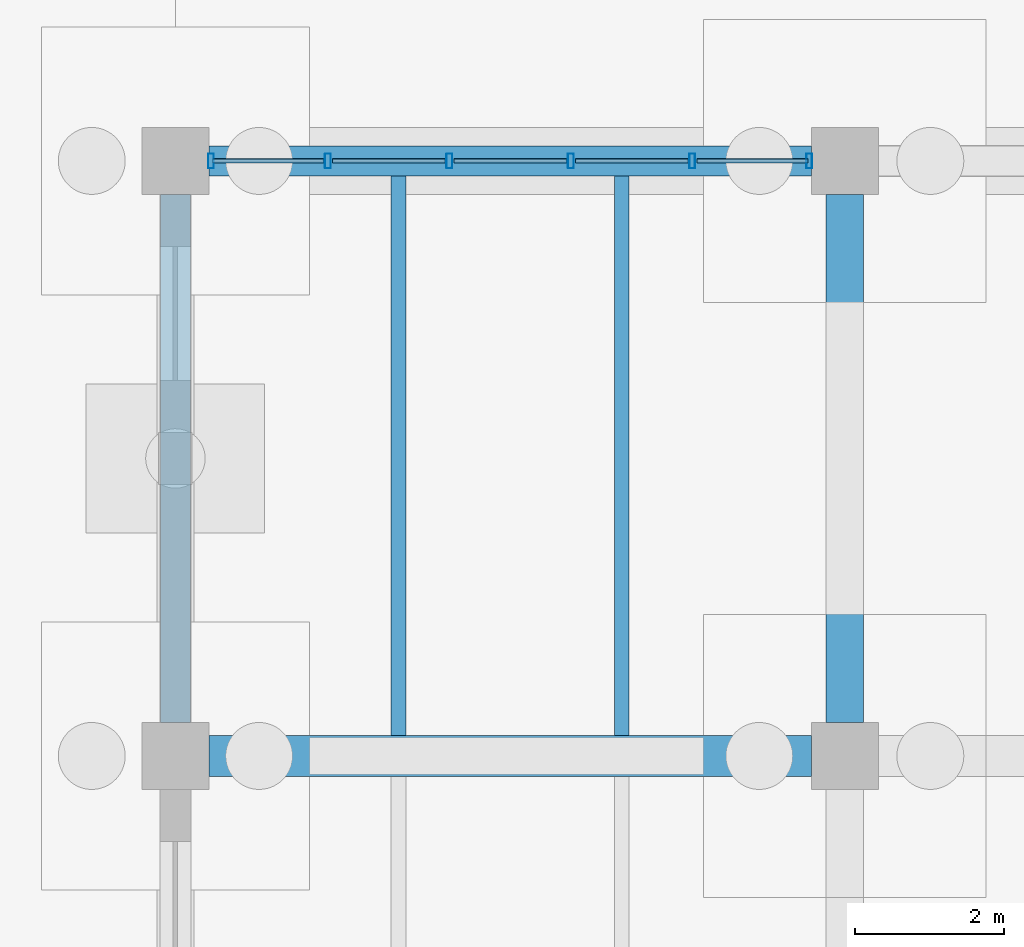
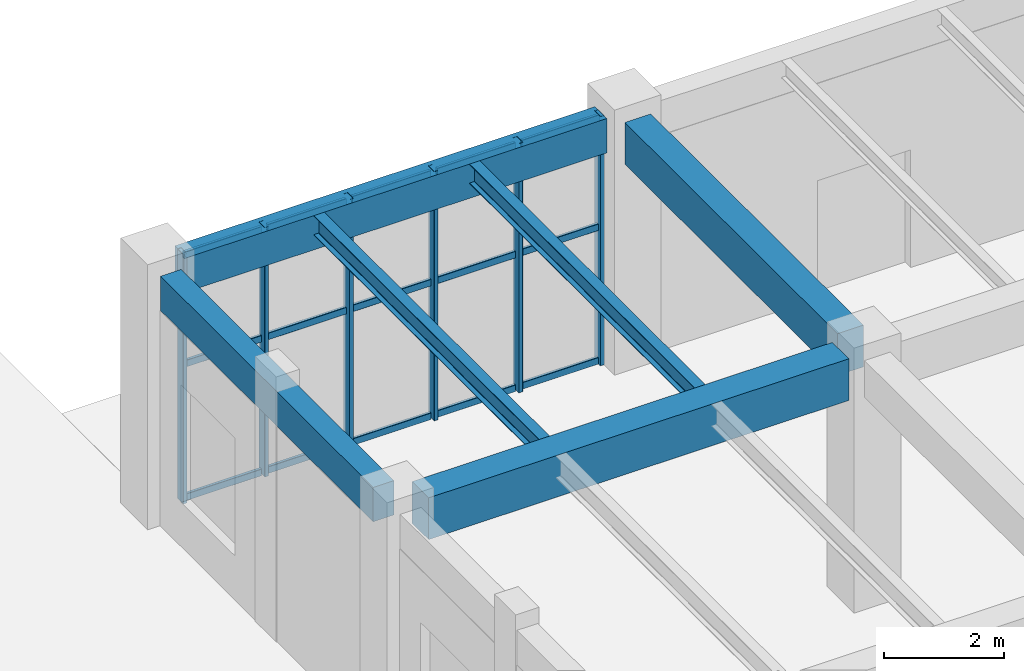
# One storey, part 52 of 121: 21 members, 6 beams, 1 element without a shape of its own.
"""IFC4 building model written with IfcOpenShell, lengths in metres."""

import ifcopenshell
import ifcopenshell.guid

model = None  # the IFC model being written
_history = None  # IfcOwnerHistory: only IFC2X3 demands one
_inside = {}  # id of a spatial element -> (the spatial element, [elements in it])
_under = {}  # id of a project, library or spatial element -> (it, [spatial elements below it])
_declared = {}  # id of a project -> (the project, [libraries it declares])
_typed = {}  # id of a type object -> (the type object, [elements of that type])
_made_of = {}  # id of a material, layer set ... -> (it, [elements and type objects made of it])


def new_model(schema):
    """Start an empty IFC model of exactly this schema.

    Asked for "IFC4X3", IfcOpenShell would pick the latest addendum, in which some entities
    have other attributes; the version numbers below select the first issue.
    IFC2X3 requires an IfcOwnerHistory on every rooted entity: one is made here for all.
    """
    global model, _history
    if schema == "IFC4X3":
        model = ifcopenshell.file(schema_version=(4, 3, 0, 0))
    else:
        model = ifcopenshell.file(schema=schema)
    _inside.clear()
    _under.clear()
    _declared.clear()
    _typed.clear()
    _made_of.clear()
    _history = None
    if model.schema == "IFC2X3":
        org = make("IfcOrganization", Name="unknown")
        user = make(
            "IfcPersonAndOrganization",
            ThePerson=make("IfcPerson", FamilyName="unknown"),
            TheOrganization=org,
        )
        app = make(
            "IfcApplication",
            ApplicationDeveloper=org,
            Version="unknown",
            ApplicationFullName="unknown",
            ApplicationIdentifier="unknown",
        )
        _history = make(
            "IfcOwnerHistory",
            OwningUser=user,
            OwningApplication=app,
            ChangeAction="ADDED",
            CreationDate=0,
        )
    return model


def make(cls, **values):
    """One entity of the class cls with the attributes given. An attribute that is None is left unset."""
    return model.create_entity(
        cls, **{name: value for name, value in values.items() if value is not None}
    )


def rooted(cls, **values):
    """An entity with a GlobalId (a new one), such as an element, a storey or a relation."""
    return make(cls, GlobalId=ifcopenshell.guid.new(), OwnerHistory=_history, **values)


def si_unit(unit_type, name, prefix=None):
    """IfcSIUnit, for example si_unit("LENGTHUNIT", "METRE", prefix="MILLI")."""
    return make("IfcSIUnit", UnitType=unit_type, Prefix=prefix, Name=name)


def derived_unit(unit_type, elements):
    """IfcDerivedUnit: a product of units, each with its exponent."""
    return make(
        "IfcDerivedUnit",
        Elements=[
            make("IfcDerivedUnitElement", Unit=unit, Exponent=power)
            for unit, power in elements
        ],
        UnitType=unit_type,
    )


def assignment(units):
    """IfcUnitAssignment: the units of a project."""
    return None if units is None else make("IfcUnitAssignment", Units=units)


def point(xyz):
    """IfcCartesianPoint."""
    return None if xyz is None else make("IfcCartesianPoint", Coordinates=xyz)


def direction(xyz):
    """IfcDirection."""
    return None if xyz is None else make("IfcDirection", DirectionRatios=xyz)


def frame(location, z_axis=None, x_axis=None):
    """IfcAxis2Placement3D, a coordinate frame: its origin and axes. An axis left out is left unset."""
    return make(
        "IfcAxis2Placement3D",
        Location=point(location),
        Axis=direction(z_axis),
        RefDirection=direction(x_axis),
    )


def frame_2d(location, x_axis=None):
    """IfcAxis2Placement2D, a coordinate frame in the plane: its origin and x axis."""
    return make(
        "IfcAxis2Placement2D", Location=point(location), RefDirection=direction(x_axis)
    )


def origin():
    """The frame at (0, 0, 0) with its axes left unset."""
    return frame((0.0, 0.0, 0.0))


def origin_2d():
    """The frame at (0, 0) in the plane with its x axis left unset."""
    return frame_2d((0.0, 0.0))


def place(relative_to, where):
    """IfcLocalPlacement: puts the frame where relative to a parent placement (None: the world)."""
    return make(
        "IfcLocalPlacement", PlacementRelTo=relative_to, RelativePlacement=where
    )


def context(
    kind, dimensions, precision=None, world=None, true_north=None, identifier=None
):
    """IfcGeometricRepresentationContext, for example the 3D "Model" context."""
    return make(
        "IfcGeometricRepresentationContext",
        ContextIdentifier=identifier,
        ContextType=kind,
        CoordinateSpaceDimension=dimensions,
        Precision=precision,
        WorldCoordinateSystem=world,
        TrueNorth=true_north,
    )


def subcontext(parent, identifier, kind, view, scale=None):
    """IfcGeometricRepresentationSubContext, for example "Body" below "Model"."""
    return make(
        "IfcGeometricRepresentationSubContext",
        ContextIdentifier=identifier,
        ContextType=kind,
        ParentContext=parent,
        TargetScale=scale,
        TargetView=view,
    )


def project(units=None, contexts=None):
    """IfcProject with its units and contexts."""
    return rooted(
        "IfcProject",
        Name="project",
        RepresentationContexts=contexts,
        UnitsInContext=assignment(units),
    )


def spatial(cls, under=None, at=None, **own):
    """A site, building, storey or space (cls), placed at a placement, below another one or the project."""
    s = rooted(cls, ObjectPlacement=at, **own)
    if under is not None:
        _under.setdefault(under.id(), (under, []))[1].append(s)
    return s


def profile(cls, at=None, kind="AREA", **sizes):
    """A parametric profile (cls). Its sizes go by their IFC names, for example OverallWidth=200.0."""
    return make(cls, ProfileType=kind, Position=at, **sizes)


def rectangle(**sizes):
    """IfcRectangleProfileDef."""
    return profile("IfcRectangleProfileDef", **sizes)


def hollow_rectangle(**sizes):
    """IfcRectangleHollowProfileDef."""
    return profile("IfcRectangleHollowProfileDef", **sizes)


def i_section(**sizes):
    """IfcIShapeProfileDef."""
    return profile("IfcIShapeProfileDef", **sizes)


def extrude(swept, where, along, depth):
    """IfcExtrudedAreaSolid: the profile swept, set in the frame where, extruded along a direction by depth."""
    return make(
        "IfcExtrudedAreaSolid",
        SweptArea=swept,
        Position=where,
        ExtrudedDirection=direction(along),
        Depth=depth,
    )


def shape(context_of_items, identifier, shape_type, items):
    """IfcShapeRepresentation: the items that make up one representation, for example the "Body"."""
    return make(
        "IfcShapeRepresentation",
        ContextOfItems=context_of_items,
        RepresentationIdentifier=identifier,
        RepresentationType=shape_type,
        Items=items,
    )


def material(Name=None, Category=None):
    """IfcMaterial."""
    return make("IfcMaterial", Name=Name, Category=Category)


def material_profile(
    of_material, cross_section, Name=None, Category=None, Priority=None
):
    """IfcMaterialProfile: a cross section and its material."""
    return make(
        "IfcMaterialProfile",
        Name=Name,
        Material=of_material,
        Profile=cross_section,
        Priority=Priority,
        Category=Category,
    )


def profile_set(profiles, Name=None, composite=None):
    """IfcMaterialProfileSet."""
    return make(
        "IfcMaterialProfileSet",
        Name=Name,
        MaterialProfiles=profiles,
        CompositeProfile=composite,
    )


def made_of(thing, what):
    """Note that an element or type object is made of a material, layer set ...; save() writes the relation."""
    if what is not None:
        _made_of.setdefault(what.id(), (what, []))[1].append(thing)
    return thing


def type_object(cls, material=None, **own):
    """A type object (cls), such as IfcWallType, which elements share."""
    return made_of(rooted(cls, **own), material)


def element(
    cls,
    number,
    at=None,
    inside=None,
    cuts=None,
    type_object=None,
    material=None,
    context=None,
    identifier="Body",
    shape_type=None,
    held_by="IfcProductDefinitionShape",
    body=None,
    shapes=None,
    **own,
):
    """One element of the class cls, such as IfcWall. Its Tag is "e" and its number.

    at: its placement. inside: the storey or other place that contains it. cuts: it is an
    opening in that element (IfcRelVoidsElement). A single representation is given by context,
    identifier, shape_type and body (its items); several are given by shapes. held_by: the class
    of the entity that holds the representations. save() writes the other relations.
    """
    e = rooted(cls, Tag="e%d" % number, ObjectPlacement=at, **own)
    if body is not None:
        shapes = [shape(context, identifier, shape_type, body)]
    if shapes is not None:
        e.Representation = make(held_by, Representations=shapes)
    if inside is not None:
        _inside.setdefault(inside.id(), (inside, []))[1].append(e)
    if cuts is not None:
        rooted(
            "IfcRelVoidsElement", RelatingBuildingElement=cuts, RelatedOpeningElement=e
        )
    if type_object is not None:
        _typed.setdefault(type_object.id(), (type_object, []))[1].append(e)
    return made_of(e, material)


def aggregate(whole, parts):
    """IfcRelAggregates: a whole, such as a stair, and the parts it consists of."""
    return rooted("IfcRelAggregates", RelatingObject=whole, RelatedObjects=parts)


def save(model, path):
    """Write the relations noted so far, then the file.

    IfcRelAggregates (storeys below a building ...), IfcRelContainedInSpatialStructure (elements
    in a storey), IfcRelDefinesByType, IfcRelAssociatesMaterial and IfcRelDeclares: one each for
    every whole, place, type object, material and project.
    """
    for whole, parts in _under.values():
        aggregate(whole, parts)
    for where, things in _inside.values():
        rooted(
            "IfcRelContainedInSpatialStructure",
            RelatedElements=things,
            RelatingStructure=where,
        )
    for kind, things in _typed.values():
        rooted("IfcRelDefinesByType", RelatedObjects=things, RelatingType=kind)
    for what, things in _made_of.values():
        rooted("IfcRelAssociatesMaterial", RelatedObjects=things, RelatingMaterial=what)
    for by, libraries in _declared.values():
        rooted("IfcRelDeclares", RelatingContext=by, RelatedDefinitions=libraries)
    model.write(path)


model = new_model("IFC4")

# Units and contexts
model_context = context("Model", 3, precision=1e-05, world=origin(), true_north=direction((0.0, 1.0)))
body_context = subcontext(model_context, "Body", "Model", "MODEL_VIEW")
ifc_project = project(units=[si_unit("LENGTHUNIT", "METRE"), si_unit("AREAUNIT", "SQUARE_METRE"), si_unit("VOLUMEUNIT", "CUBIC_METRE"), si_unit("PLANEANGLEUNIT", "RADIAN"), si_unit("MASSUNIT", "GRAM", prefix="KILO"), derived_unit("THERMALTRANSMITTANCEUNIT", [(si_unit("MASSUNIT", "GRAM", prefix="KILO"), 1), (si_unit("TIMEUNIT", "SECOND"), -3), (si_unit("THERMODYNAMICTEMPERATUREUNIT", "KELVIN"), -1)])], contexts=[model_context])

# Site, building, storey
site_placement = place(None, origin())
site = spatial("IfcSite", under=ifc_project, at=site_placement, CompositionType="ELEMENT")
building_placement = place(site_placement, origin())
building = spatial("IfcBuilding", under=site, at=building_placement, Name="Zhenchuan Archway Interchange", CompositionType="ELEMENT")
storey_placement = place(building_placement, origin())
storey = spatial("IfcBuildingStorey", under=building, at=storey_placement, Name="L00", CompositionType="ELEMENT", Elevation=0.0)

# Beams
ifc_material_1 = material(Name="Concrete C40", Category="concrete")
ifc_material_profile_1 = material_profile(ifc_material_1, rectangle(XDim=0.5, YDim=0.85009765625, at=origin_2d()), Name="RC 500x850")
ifc_profile_set_1 = profile_set([ifc_material_profile_1], Name="Concrete C40")
beam_type_1 = type_object("IfcBeamType", Name="BM_RC_500x850", PredefinedType="BEAM", material=ifc_profile_set_1)
beam_1_placement = place(storey_placement, frame((108.0, 96.449951171875, 4.655029296875), z_axis=(0.0, 1.0, 0.0), x_axis=(-1.0, 0.0, 0.0)))
element("IfcBeam", 1, at=beam_1_placement, inside=storey, type_object=beam_type_1, Name="Beam 13:N-O (L00)", PredefinedType="BEAM", context=body_context, shape_type="SweptSolid", body=[
    extrude(rectangle(XDim=0.5, YDim=0.85009765625, at=origin_2d()), origin(), (0.0, 0.0, 1.0), 7.10009765625),
])
ifc_material_profile_2 = material_profile(ifc_material_1, rectangle(XDim=0.550048828125, YDim=0.85009765625, at=origin_2d()), Name="RC 550x850")
ifc_profile_set_2 = profile_set([ifc_material_profile_2], Name="Concrete C40")
beam_type_2 = type_object("IfcBeamType", Name="BM_RC_550x850", PredefinedType="BEAM", material=ifc_profile_set_2)
beam_2_placement = place(storey_placement, frame((99.449951171875, 96.0, 4.655029296875), z_axis=(1.0, 0.0, 0.0), x_axis=(0.0, 1.0, 0.0)))
element("IfcBeam", 2, at=beam_2_placement, inside=storey, type_object=beam_type_2, Name="Beam N:12-13 (L00)", PredefinedType="BEAM", context=body_context, shape_type="SweptSolid", body=[
    extrude(rectangle(XDim=0.550048828125, YDim=0.85009765625, at=origin_2d()), origin(), (0.0, 0.0, 1.0), 8.10009765625),
])

# Curtain wall, members
ifc_material_2 = material(Name="Anodised Aluminium", Category="aluminium")
curtain_wall_type = type_object("IfcCurtainWallType", Name="CW_UNIT_4", PredefinedType="NOTDEFINED", material=ifc_material_2)
curtain_wall_placement = place(storey_placement, origin())
curtain_wall = element("IfcCurtainWall", 3, at=curtain_wall_placement, inside=storey, type_object=curtain_wall_type, Name="Unitised curtain wall CW:L00:011", PredefinedType="NOTDEFINED")
ifc_material_profile_3 = material_profile(ifc_material_2, hollow_rectangle(XDim=0.080078125, YDim=0.199951171875, WallThickness=0.00439453125, InnerFilletRadius=0.00439453125, OuterFilletRadius=0.009033203125, at=origin_2d()), Name="ALU 200x80x4.5")
ifc_profile_set_3 = profile_set([ifc_material_profile_3], Name="Anodised Aluminium")
member_type_1 = type_object("IfcMemberType", Name="CW_MUL_200", PredefinedType="MULLION", material=ifc_profile_set_3)
member_1_placement = place(storey_placement, frame((99.47802734375, 104.0, 0.0), z_axis=(0.0, 0.0, 1.0), x_axis=(1.0, 0.0, 0.0)))
member_1 = element("IfcMember", 4, at=member_1_placement, type_object=member_type_1, Name="CW:L00:011 mullion 0", PredefinedType="MULLION", context=body_context, shape_type="SweptSolid", body=[
    extrude(hollow_rectangle(XDim=0.080078125, YDim=0.199951171875, WallThickness=0.00439453125, InnerFilletRadius=0.00439453125, OuterFilletRadius=0.009033203125, at=origin_2d()), origin(), (0.0, 0.0, 1.0), 5.080078125),
])
member_2_placement = place(storey_placement, frame((101.05078125, 104.0, 0.0), z_axis=(0.0, 0.0, 1.0), x_axis=(1.0, 0.0, 0.0)))
member_2 = element("IfcMember", 5, at=member_2_placement, type_object=member_type_1, Name="CW:L00:011 mullion 1", PredefinedType="MULLION", context=body_context, shape_type="SweptSolid", body=[
    extrude(hollow_rectangle(XDim=0.080078125, YDim=0.199951171875, WallThickness=0.00439453125, InnerFilletRadius=0.00439453125, OuterFilletRadius=0.009033203125, at=origin_2d()), origin(), (0.0, 0.0, 1.0), 5.080078125),
])
member_3_placement = place(storey_placement, frame((102.68359375, 104.0, 0.0), z_axis=(0.0, 0.0, 1.0), x_axis=(1.0, 0.0, 0.0)))
member_3 = element("IfcMember", 6, at=member_3_placement, type_object=member_type_1, Name="CW:L00:011 mullion 2", PredefinedType="MULLION", context=body_context, shape_type="SweptSolid", body=[
    extrude(hollow_rectangle(XDim=0.080078125, YDim=0.199951171875, WallThickness=0.00439453125, InnerFilletRadius=0.00439453125, OuterFilletRadius=0.009033203125, at=origin_2d()), origin(), (0.0, 0.0, 1.0), 5.080078125),
])
member_4_placement = place(storey_placement, frame((104.31640625, 104.0, 0.0), z_axis=(0.0, 0.0, 1.0), x_axis=(1.0, 0.0, 0.0)))
member_4 = element("IfcMember", 7, at=member_4_placement, type_object=member_type_1, Name="CW:L00:011 mullion 3", PredefinedType="MULLION", context=body_context, shape_type="SweptSolid", body=[
    extrude(hollow_rectangle(XDim=0.080078125, YDim=0.199951171875, WallThickness=0.00439453125, InnerFilletRadius=0.00439453125, OuterFilletRadius=0.009033203125, at=origin_2d()), origin(), (0.0, 0.0, 1.0), 5.080078125),
])
member_5_placement = place(storey_placement, frame((105.94921875, 104.0, 0.0), z_axis=(0.0, 0.0, 1.0), x_axis=(1.0, 0.0, 0.0)))
member_5 = element("IfcMember", 8, at=member_5_placement, type_object=member_type_1, Name="CW:L00:011 mullion 4", PredefinedType="MULLION", context=body_context, shape_type="SweptSolid", body=[
    extrude(hollow_rectangle(XDim=0.080078125, YDim=0.199951171875, WallThickness=0.00439453125, InnerFilletRadius=0.00439453125, OuterFilletRadius=0.009033203125, at=origin_2d()), origin(), (0.0, 0.0, 1.0), 5.080078125),
])
member_6_placement = place(storey_placement, frame((107.52197265625, 104.0, 0.0), z_axis=(0.0, 0.0, 1.0), x_axis=(1.0, 0.0, 0.0)))
member_6 = element("IfcMember", 9, at=member_6_placement, type_object=member_type_1, Name="CW:L00:011 mullion 5", PredefinedType="MULLION", context=body_context, shape_type="SweptSolid", body=[
    extrude(hollow_rectangle(XDim=0.080078125, YDim=0.199951171875, WallThickness=0.00439453125, InnerFilletRadius=0.00439453125, OuterFilletRadius=0.009033203125, at=origin_2d()), origin(), (0.0, 0.0, 1.0), 5.080078125),
])
ifc_material_profile_4 = material_profile(ifc_material_2, hollow_rectangle(XDim=0.06005859375, YDim=0.139892578125, WallThickness=0.00341796875, InnerFilletRadius=0.00341796875, OuterFilletRadius=0.007080078125, at=origin_2d()), Name="ALU 140x60x3.5")
ifc_profile_set_4 = profile_set([ifc_material_profile_4], Name="Anodised Aluminium")
member_type_2 = type_object("IfcMemberType", Name="CW_TRN_140", PredefinedType="USERDEFINED", material=ifc_profile_set_4)
member_7_placement = place(storey_placement, frame((99.498046875, 104.0, 0.06005859375), z_axis=(1.0, 0.0, 0.0), x_axis=(0.0, 1.0, 0.0)))
member_7 = element("IfcMember", 10, at=member_7_placement, type_object=member_type_2, Name="CW:L00:011 transom 0-1", ObjectType="TRANSOM", PredefinedType="USERDEFINED", context=body_context, shape_type="SweptSolid", body=[
    extrude(hollow_rectangle(XDim=0.06005859375, YDim=0.139892578125, WallThickness=0.00341796875, InnerFilletRadius=0.00341796875, OuterFilletRadius=0.007080078125, at=origin_2d()), origin(), (0.0, 0.0, 1.0), 1.49267578125),
])
member_8_placement = place(storey_placement, frame((99.498046875, 104.0, 2.782958984375), z_axis=(1.0, 0.0, 0.0), x_axis=(0.0, 1.0, 0.0)))
member_8 = element("IfcMember", 11, at=member_8_placement, type_object=member_type_2, Name="CW:L00:011 transom 0-2", ObjectType="TRANSOM", PredefinedType="USERDEFINED", context=body_context, shape_type="SweptSolid", body=[
    extrude(hollow_rectangle(XDim=0.06005859375, YDim=0.139892578125, WallThickness=0.00341796875, InnerFilletRadius=0.00341796875, OuterFilletRadius=0.007080078125, at=origin_2d()), origin(), (0.0, 0.0, 1.0), 1.49267578125),
])
member_9_placement = place(storey_placement, frame((99.498046875, 104.0, 5.0), z_axis=(1.0, 0.0, 0.0), x_axis=(0.0, 1.0, 0.0)))
member_9 = element("IfcMember", 12, at=member_9_placement, type_object=member_type_2, Name="CW:L00:011 transom 0-3", ObjectType="TRANSOM", PredefinedType="USERDEFINED", context=body_context, shape_type="SweptSolid", body=[
    extrude(hollow_rectangle(XDim=0.06005859375, YDim=0.139892578125, WallThickness=0.00341796875, InnerFilletRadius=0.00341796875, OuterFilletRadius=0.007080078125, at=origin_2d()), origin(), (0.0, 0.0, 1.0), 1.49267578125),
])
member_10_placement = place(storey_placement, frame((101.11083984375, 104.0, 0.06005859375), z_axis=(1.0, 0.0, 0.0), x_axis=(0.0, 1.0, 0.0)))
member_10 = element("IfcMember", 13, at=member_10_placement, type_object=member_type_2, Name="CW:L00:011 transom 1-1", ObjectType="TRANSOM", PredefinedType="USERDEFINED", context=body_context, shape_type="SweptSolid", body=[
    extrude(hollow_rectangle(XDim=0.06005859375, YDim=0.139892578125, WallThickness=0.00341796875, InnerFilletRadius=0.00341796875, OuterFilletRadius=0.007080078125, at=origin_2d()), origin(), (0.0, 0.0, 1.0), 1.5126953125),
])
member_11_placement = place(storey_placement, frame((101.11083984375, 104.0, 2.782958984375), z_axis=(1.0, 0.0, 0.0), x_axis=(0.0, 1.0, 0.0)))
member_11 = element("IfcMember", 14, at=member_11_placement, type_object=member_type_2, Name="CW:L00:011 transom 1-2", ObjectType="TRANSOM", PredefinedType="USERDEFINED", context=body_context, shape_type="SweptSolid", body=[
    extrude(hollow_rectangle(XDim=0.06005859375, YDim=0.139892578125, WallThickness=0.00341796875, InnerFilletRadius=0.00341796875, OuterFilletRadius=0.007080078125, at=origin_2d()), origin(), (0.0, 0.0, 1.0), 1.5126953125),
])
member_12_placement = place(storey_placement, frame((101.11083984375, 104.0, 5.0), z_axis=(1.0, 0.0, 0.0), x_axis=(0.0, 1.0, 0.0)))
member_12 = element("IfcMember", 15, at=member_12_placement, type_object=member_type_2, Name="CW:L00:011 transom 1-3", ObjectType="TRANSOM", PredefinedType="USERDEFINED", context=body_context, shape_type="SweptSolid", body=[
    extrude(hollow_rectangle(XDim=0.06005859375, YDim=0.139892578125, WallThickness=0.00341796875, InnerFilletRadius=0.00341796875, OuterFilletRadius=0.007080078125, at=origin_2d()), origin(), (0.0, 0.0, 1.0), 1.5126953125),
])
member_13_placement = place(storey_placement, frame((102.74365234375, 104.0, 0.06005859375), z_axis=(1.0, 0.0, 0.0), x_axis=(0.0, 1.0, 0.0)))
member_13 = element("IfcMember", 16, at=member_13_placement, type_object=member_type_2, Name="CW:L00:011 transom 2-1", ObjectType="TRANSOM", PredefinedType="USERDEFINED", context=body_context, shape_type="SweptSolid", body=[
    extrude(hollow_rectangle(XDim=0.06005859375, YDim=0.139892578125, WallThickness=0.00341796875, InnerFilletRadius=0.00341796875, OuterFilletRadius=0.007080078125, at=origin_2d()), origin(), (0.0, 0.0, 1.0), 1.5126953125),
])
member_14_placement = place(storey_placement, frame((102.74365234375, 104.0, 2.782958984375), z_axis=(1.0, 0.0, 0.0), x_axis=(0.0, 1.0, 0.0)))
member_14 = element("IfcMember", 17, at=member_14_placement, type_object=member_type_2, Name="CW:L00:011 transom 2-2", ObjectType="TRANSOM", PredefinedType="USERDEFINED", context=body_context, shape_type="SweptSolid", body=[
    extrude(hollow_rectangle(XDim=0.06005859375, YDim=0.139892578125, WallThickness=0.00341796875, InnerFilletRadius=0.00341796875, OuterFilletRadius=0.007080078125, at=origin_2d()), origin(), (0.0, 0.0, 1.0), 1.5126953125),
])
member_15_placement = place(storey_placement, frame((102.74365234375, 104.0, 5.0), z_axis=(1.0, 0.0, 0.0), x_axis=(0.0, 1.0, 0.0)))
member_15 = element("IfcMember", 18, at=member_15_placement, type_object=member_type_2, Name="CW:L00:011 transom 2-3", ObjectType="TRANSOM", PredefinedType="USERDEFINED", context=body_context, shape_type="SweptSolid", body=[
    extrude(hollow_rectangle(XDim=0.06005859375, YDim=0.139892578125, WallThickness=0.00341796875, InnerFilletRadius=0.00341796875, OuterFilletRadius=0.007080078125, at=origin_2d()), origin(), (0.0, 0.0, 1.0), 1.5126953125),
])
member_16_placement = place(storey_placement, frame((104.37646484375, 104.0, 0.06005859375), z_axis=(1.0, 0.0, 0.0), x_axis=(0.0, 1.0, 0.0)))
member_16 = element("IfcMember", 19, at=member_16_placement, type_object=member_type_2, Name="CW:L00:011 transom 3-1", ObjectType="TRANSOM", PredefinedType="USERDEFINED", context=body_context, shape_type="SweptSolid", body=[
    extrude(hollow_rectangle(XDim=0.06005859375, YDim=0.139892578125, WallThickness=0.00341796875, InnerFilletRadius=0.00341796875, OuterFilletRadius=0.007080078125, at=origin_2d()), origin(), (0.0, 0.0, 1.0), 1.5126953125),
])
member_17_placement = place(storey_placement, frame((104.37646484375, 104.0, 2.782958984375), z_axis=(1.0, 0.0, 0.0), x_axis=(0.0, 1.0, 0.0)))
member_17 = element("IfcMember", 20, at=member_17_placement, type_object=member_type_2, Name="CW:L00:011 transom 3-2", ObjectType="TRANSOM", PredefinedType="USERDEFINED", context=body_context, shape_type="SweptSolid", body=[
    extrude(hollow_rectangle(XDim=0.06005859375, YDim=0.139892578125, WallThickness=0.00341796875, InnerFilletRadius=0.00341796875, OuterFilletRadius=0.007080078125, at=origin_2d()), origin(), (0.0, 0.0, 1.0), 1.5126953125),
])
member_18_placement = place(storey_placement, frame((104.37646484375, 104.0, 5.0), z_axis=(1.0, 0.0, 0.0), x_axis=(0.0, 1.0, 0.0)))
member_18 = element("IfcMember", 21, at=member_18_placement, type_object=member_type_2, Name="CW:L00:011 transom 3-3", ObjectType="TRANSOM", PredefinedType="USERDEFINED", context=body_context, shape_type="SweptSolid", body=[
    extrude(hollow_rectangle(XDim=0.06005859375, YDim=0.139892578125, WallThickness=0.00341796875, InnerFilletRadius=0.00341796875, OuterFilletRadius=0.007080078125, at=origin_2d()), origin(), (0.0, 0.0, 1.0), 1.5126953125),
])
member_19_placement = place(storey_placement, frame((106.00927734375, 104.0, 0.06005859375), z_axis=(1.0, 0.0, 0.0), x_axis=(0.0, 1.0, 0.0)))
member_19 = element("IfcMember", 22, at=member_19_placement, type_object=member_type_2, Name="CW:L00:011 transom 4-1", ObjectType="TRANSOM", PredefinedType="USERDEFINED", context=body_context, shape_type="SweptSolid", body=[
    extrude(hollow_rectangle(XDim=0.06005859375, YDim=0.139892578125, WallThickness=0.00341796875, InnerFilletRadius=0.00341796875, OuterFilletRadius=0.007080078125, at=origin_2d()), origin(), (0.0, 0.0, 1.0), 1.49267578125),
])
member_20_placement = place(storey_placement, frame((106.00927734375, 104.0, 2.782958984375), z_axis=(1.0, 0.0, 0.0), x_axis=(0.0, 1.0, 0.0)))
member_20 = element("IfcMember", 23, at=member_20_placement, type_object=member_type_2, Name="CW:L00:011 transom 4-2", ObjectType="TRANSOM", PredefinedType="USERDEFINED", context=body_context, shape_type="SweptSolid", body=[
    extrude(hollow_rectangle(XDim=0.06005859375, YDim=0.139892578125, WallThickness=0.00341796875, InnerFilletRadius=0.00341796875, OuterFilletRadius=0.007080078125, at=origin_2d()), origin(), (0.0, 0.0, 1.0), 1.49267578125),
])
member_21_placement = place(storey_placement, frame((106.00927734375, 104.0, 5.0), z_axis=(1.0, 0.0, 0.0), x_axis=(0.0, 1.0, 0.0)))
member_21 = element("IfcMember", 24, at=member_21_placement, type_object=member_type_2, Name="CW:L00:011 transom 4-3", ObjectType="TRANSOM", PredefinedType="USERDEFINED", context=body_context, shape_type="SweptSolid", body=[
    extrude(hollow_rectangle(XDim=0.06005859375, YDim=0.139892578125, WallThickness=0.00341796875, InnerFilletRadius=0.00341796875, OuterFilletRadius=0.007080078125, at=origin_2d()), origin(), (0.0, 0.0, 1.0), 1.49267578125),
])
aggregate(curtain_wall, [member_1, member_2, member_3, member_4, member_5, member_6, member_7, member_8, member_9, member_10, member_11, member_12, member_13, member_14, member_15, member_16, member_17, member_18, member_19, member_20, member_21])

# Beams
ifc_material_3 = material(Name="Steel Q355", Category="steel")
ifc_material_profile_5 = material_profile(ifc_material_3, i_section(OverallWidth=0.199951171875, OverallDepth=0.39990234375, WebThickness=0.008056640625, FlangeThickness=0.012939453125, FilletRadius=0.01611328125, at=origin_2d()), Name="HN 400x200")
ifc_profile_set_5 = profile_set([ifc_material_profile_5], Name="Steel Q355")
beam_type_3 = type_object("IfcBeamType", Name="JST_STL_HN400", PredefinedType="JOIST", material=ifc_profile_set_5)
for number, where, z_axis, x_axis, name in (
    (25, (102.0, 96.27490234375, 4.8798828125), (0.0, 1.0, 0.0), (-1.0, 0.0, 0.0), "Secondary joist 12-13/N-O #1 (L00)"),
    (26, (105.0, 96.27490234375, 4.8798828125), (0.0, 1.0, 0.0), (-1.0, 0.0, 0.0), "Secondary joist 12-13/N-O #2 (L00)"),
):
    element("IfcBeam", number, at=place(storey_placement, frame(where, z_axis=z_axis, x_axis=x_axis)), inside=storey, type_object=beam_type_3, Name=name, PredefinedType="JOIST", context=body_context, shape_type="SweptSolid", body=[
        extrude(i_section(OverallWidth=0.199951171875, OverallDepth=0.39990234375, WebThickness=0.008056640625, FlangeThickness=0.012939453125, FilletRadius=0.01611328125, at=origin_2d()), origin(), (0.0, 0.0, 1.0), 7.525146484375),
    ])
ifc_material_profile_6 = material_profile(ifc_material_1, rectangle(XDim=0.39990234375, YDim=0.699951171875, at=origin_2d()), Name="RC 400x700")
ifc_profile_set_6 = profile_set([ifc_material_profile_6], Name="Concrete C40")
beam_type_4 = type_object("IfcBeamType", Name="SP_RC_400x700", PredefinedType="SPANDREL", material=ifc_profile_set_6)
beam_3_placement = place(storey_placement, frame((99.449951171875, 104.0, 4.72998046875), z_axis=(1.0, 0.0, 0.0), x_axis=(0.0, 1.0, 0.0)))
element("IfcBeam", 27, at=beam_3_placement, inside=storey, type_object=beam_type_4, Name="Beam O:12-13 (L00)", PredefinedType="SPANDREL", context=body_context, shape_type="SweptSolid", body=[
    extrude(rectangle(XDim=0.39990234375, YDim=0.699951171875, at=origin_2d()), origin(), (0.0, 0.0, 1.0), 8.10009765625),
])
beam_4_placement = place(storey_placement, frame((99.0, 96.449951171875, 4.72998046875), z_axis=(0.0, 1.0, 0.0), x_axis=(-1.0, 0.0, 0.0)))
element("IfcBeam", 28, at=beam_4_placement, inside=storey, type_object=beam_type_4, Name="Beam 12:N-O (L00)", PredefinedType="SPANDREL", context=body_context, shape_type="SweptSolid", body=[
    extrude(rectangle(XDim=0.39990234375, YDim=0.699951171875, at=origin_2d()), origin(), (0.0, 0.0, 1.0), 7.10009765625),
])

save(model, "model.ifc")
